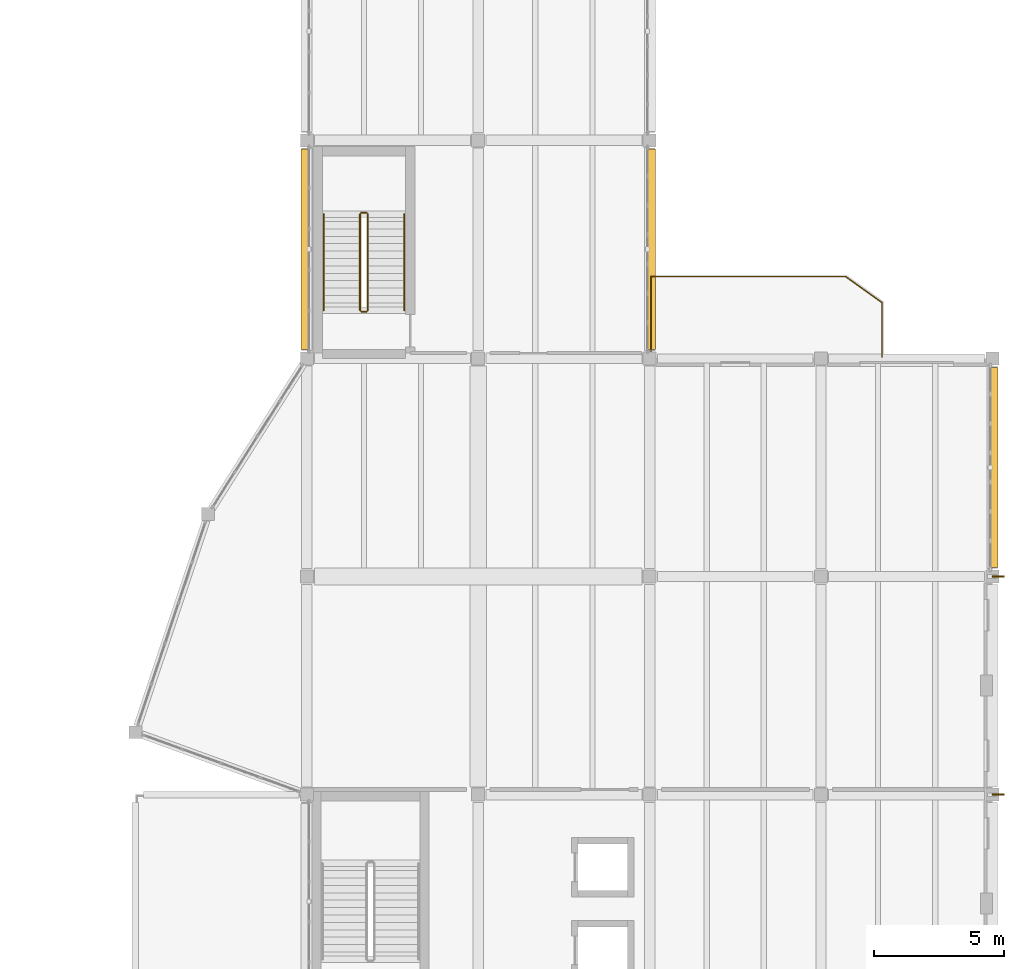
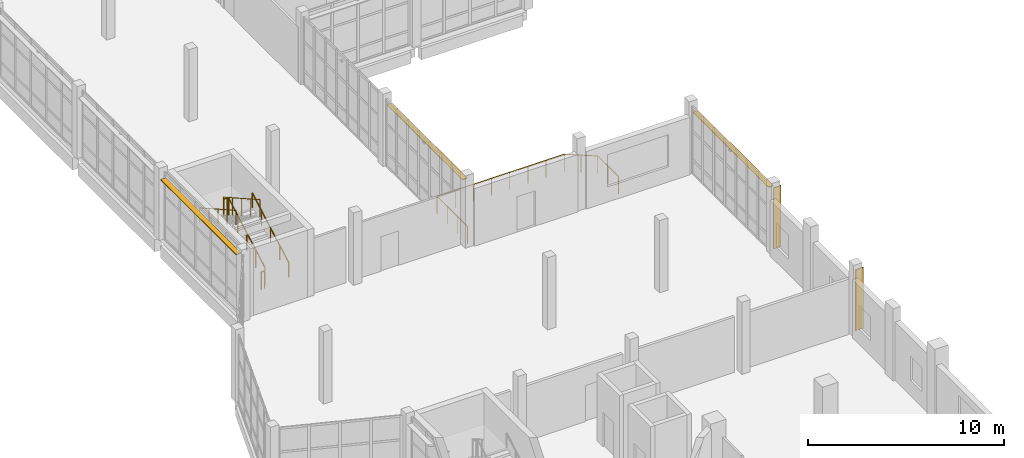
# One storey, part 81 of 83: 7 railings, 5 shading devices.
"""IFC4 building model written with IfcOpenShell, lengths in metres."""

import ifcopenshell
import ifcopenshell.guid

model = None  # the IFC model being written
_history = None  # IfcOwnerHistory: only IFC2X3 demands one
_inside = {}  # id of a spatial element -> (the spatial element, [elements in it])
_under = {}  # id of a project, library or spatial element -> (it, [spatial elements below it])
_declared = {}  # id of a project -> (the project, [libraries it declares])
_typed = {}  # id of a type object -> (the type object, [elements of that type])
_made_of = {}  # id of a material, layer set ... -> (it, [elements and type objects made of it])


def new_model(schema):
    """Start an empty IFC model of exactly this schema.

    Asked for "IFC4X3", IfcOpenShell would pick the latest addendum, in which some entities
    have other attributes; the version numbers below select the first issue.
    IFC2X3 requires an IfcOwnerHistory on every rooted entity: one is made here for all.
    """
    global model, _history
    if schema == "IFC4X3":
        model = ifcopenshell.file(schema_version=(4, 3, 0, 0))
    else:
        model = ifcopenshell.file(schema=schema)
    _inside.clear()
    _under.clear()
    _declared.clear()
    _typed.clear()
    _made_of.clear()
    _history = None
    if model.schema == "IFC2X3":
        org = make("IfcOrganization", Name="unknown")
        user = make(
            "IfcPersonAndOrganization",
            ThePerson=make("IfcPerson", FamilyName="unknown"),
            TheOrganization=org,
        )
        app = make(
            "IfcApplication",
            ApplicationDeveloper=org,
            Version="unknown",
            ApplicationFullName="unknown",
            ApplicationIdentifier="unknown",
        )
        _history = make(
            "IfcOwnerHistory",
            OwningUser=user,
            OwningApplication=app,
            ChangeAction="ADDED",
            CreationDate=0,
        )
    return model


def make(cls, **values):
    """One entity of the class cls with the attributes given. An attribute that is None is left unset."""
    return model.create_entity(
        cls, **{name: value for name, value in values.items() if value is not None}
    )


def rooted(cls, **values):
    """An entity with a GlobalId (a new one), such as an element, a storey or a relation."""
    return make(cls, GlobalId=ifcopenshell.guid.new(), OwnerHistory=_history, **values)


def si_unit(unit_type, name, prefix=None):
    """IfcSIUnit, for example si_unit("LENGTHUNIT", "METRE", prefix="MILLI")."""
    return make("IfcSIUnit", UnitType=unit_type, Prefix=prefix, Name=name)


def assignment(units):
    """IfcUnitAssignment: the units of a project."""
    return None if units is None else make("IfcUnitAssignment", Units=units)


def point(xyz):
    """IfcCartesianPoint."""
    return None if xyz is None else make("IfcCartesianPoint", Coordinates=xyz)


def direction(xyz):
    """IfcDirection."""
    return None if xyz is None else make("IfcDirection", DirectionRatios=xyz)


def frame(location, z_axis=None, x_axis=None):
    """IfcAxis2Placement3D, a coordinate frame: its origin and axes. An axis left out is left unset."""
    return make(
        "IfcAxis2Placement3D",
        Location=point(location),
        Axis=direction(z_axis),
        RefDirection=direction(x_axis),
    )


def frame_2d(location, x_axis=None):
    """IfcAxis2Placement2D, a coordinate frame in the plane: its origin and x axis."""
    return make(
        "IfcAxis2Placement2D", Location=point(location), RefDirection=direction(x_axis)
    )


def origin():
    """The frame at (0, 0, 0) with its axes left unset."""
    return frame((0.0, 0.0, 0.0))


def origin_2d():
    """The frame at (0, 0) in the plane with its x axis left unset."""
    return frame_2d((0.0, 0.0))


def place(relative_to, where):
    """IfcLocalPlacement: puts the frame where relative to a parent placement (None: the world)."""
    return make(
        "IfcLocalPlacement", PlacementRelTo=relative_to, RelativePlacement=where
    )


def context(
    kind, dimensions, precision=None, world=None, true_north=None, identifier=None
):
    """IfcGeometricRepresentationContext, for example the 3D "Model" context."""
    return make(
        "IfcGeometricRepresentationContext",
        ContextIdentifier=identifier,
        ContextType=kind,
        CoordinateSpaceDimension=dimensions,
        Precision=precision,
        WorldCoordinateSystem=world,
        TrueNorth=true_north,
    )


def subcontext(parent, identifier, kind, view, scale=None):
    """IfcGeometricRepresentationSubContext, for example "Body" below "Model"."""
    return make(
        "IfcGeometricRepresentationSubContext",
        ContextIdentifier=identifier,
        ContextType=kind,
        ParentContext=parent,
        TargetScale=scale,
        TargetView=view,
    )


def project(units=None, contexts=None):
    """IfcProject with its units and contexts."""
    return rooted(
        "IfcProject",
        Name="project",
        RepresentationContexts=contexts,
        UnitsInContext=assignment(units),
    )


def spatial(cls, under=None, at=None, **own):
    """A site, building, storey or space (cls), placed at a placement, below another one or the project."""
    s = rooted(cls, ObjectPlacement=at, **own)
    if under is not None:
        _under.setdefault(under.id(), (under, []))[1].append(s)
    return s


def profile(cls, at=None, kind="AREA", **sizes):
    """A parametric profile (cls). Its sizes go by their IFC names, for example OverallWidth=200.0."""
    return make(cls, ProfileType=kind, Position=at, **sizes)


def rectangle(**sizes):
    """IfcRectangleProfileDef."""
    return profile("IfcRectangleProfileDef", **sizes)


def circle(**sizes):
    """IfcCircleProfileDef."""
    return profile("IfcCircleProfileDef", **sizes)


def extrude(swept, where, along, depth):
    """IfcExtrudedAreaSolid: the profile swept, set in the frame where, extruded along a direction by depth."""
    return make(
        "IfcExtrudedAreaSolid",
        SweptArea=swept,
        Position=where,
        ExtrudedDirection=direction(along),
        Depth=depth,
    )


def shape(context_of_items, identifier, shape_type, items):
    """IfcShapeRepresentation: the items that make up one representation, for example the "Body"."""
    return make(
        "IfcShapeRepresentation",
        ContextOfItems=context_of_items,
        RepresentationIdentifier=identifier,
        RepresentationType=shape_type,
        Items=items,
    )


def material(Name=None, Category=None):
    """IfcMaterial."""
    return make("IfcMaterial", Name=Name, Category=Category)


def layer(
    of_material, thickness, ventilated=None, Name=None, Category=None, Priority=None
):
    """IfcMaterialLayer: one layer of a wall or slab, of a material (None: an air gap)."""
    return make(
        "IfcMaterialLayer",
        Material=of_material,
        LayerThickness=thickness,
        IsVentilated=ventilated,
        Name=Name,
        Category=Category,
        Priority=Priority,
    )


def layer_set(layers, Name=None):
    """IfcMaterialLayerSet."""
    return make("IfcMaterialLayerSet", MaterialLayers=layers, LayerSetName=Name)


def made_of(thing, what):
    """Note that an element or type object is made of a material, layer set ...; save() writes the relation."""
    if what is not None:
        _made_of.setdefault(what.id(), (what, []))[1].append(thing)
    return thing


def type_object(cls, material=None, **own):
    """A type object (cls), such as IfcWallType, which elements share."""
    return made_of(rooted(cls, **own), material)


def element(
    cls,
    number,
    at=None,
    inside=None,
    cuts=None,
    type_object=None,
    material=None,
    context=None,
    identifier="Body",
    shape_type=None,
    held_by="IfcProductDefinitionShape",
    body=None,
    shapes=None,
    **own,
):
    """One element of the class cls, such as IfcWall. Its Tag is "e" and its number.

    at: its placement. inside: the storey or other place that contains it. cuts: it is an
    opening in that element (IfcRelVoidsElement). A single representation is given by context,
    identifier, shape_type and body (its items); several are given by shapes. held_by: the class
    of the entity that holds the representations. save() writes the other relations.
    """
    e = rooted(cls, Tag="e%d" % number, ObjectPlacement=at, **own)
    if body is not None:
        shapes = [shape(context, identifier, shape_type, body)]
    if shapes is not None:
        e.Representation = make(held_by, Representations=shapes)
    if inside is not None:
        _inside.setdefault(inside.id(), (inside, []))[1].append(e)
    if cuts is not None:
        rooted(
            "IfcRelVoidsElement", RelatingBuildingElement=cuts, RelatedOpeningElement=e
        )
    if type_object is not None:
        _typed.setdefault(type_object.id(), (type_object, []))[1].append(e)
    return made_of(e, material)


def aggregate(whole, parts):
    """IfcRelAggregates: a whole, such as a stair, and the parts it consists of."""
    return rooted("IfcRelAggregates", RelatingObject=whole, RelatedObjects=parts)


def save(model, path):
    """Write the relations noted so far, then the file.

    IfcRelAggregates (storeys below a building ...), IfcRelContainedInSpatialStructure (elements
    in a storey), IfcRelDefinesByType, IfcRelAssociatesMaterial and IfcRelDeclares: one each for
    every whole, place, type object, material and project.
    """
    for whole, parts in _under.values():
        aggregate(whole, parts)
    for where, things in _inside.values():
        rooted(
            "IfcRelContainedInSpatialStructure",
            RelatedElements=things,
            RelatingStructure=where,
        )
    for kind, things in _typed.values():
        rooted("IfcRelDefinesByType", RelatedObjects=things, RelatingType=kind)
    for what, things in _made_of.values():
        rooted("IfcRelAssociatesMaterial", RelatedObjects=things, RelatingMaterial=what)
    for by, libraries in _declared.values():
        rooted("IfcRelDeclares", RelatingContext=by, RelatedDefinitions=libraries)
    model.write(path)


model = new_model("IFC4")

# Units and contexts
model_context = context("Model", 3, precision=1e-05, world=origin(), true_north=direction((0.0, 1.0)))
body_context = subcontext(model_context, "Body", "Model", "MODEL_VIEW")
ifc_project = project(units=[si_unit("LENGTHUNIT", "METRE"), si_unit("AREAUNIT", "SQUARE_METRE"), si_unit("VOLUMEUNIT", "CUBIC_METRE"), si_unit("PLANEANGLEUNIT", "RADIAN"), si_unit("MASSUNIT", "GRAM", prefix="KILO")], contexts=[model_context])

# Site, building, storey
site_placement = place(None, origin())
site = spatial("IfcSite", under=ifc_project, at=site_placement, CompositionType="ELEMENT")
building_placement = place(site_placement, origin())
building = spatial("IfcBuilding", under=site, at=building_placement, Name="Qaldarim Faculty of Natural and Applied Sciences", CompositionType="ELEMENT")
storey_placement = place(building_placement, frame((0.0, 0.0, 5.39990234375)))
storey = spatial("IfcBuildingStorey", under=building, at=storey_placement, Name="L01", CompositionType="ELEMENT", Elevation=5.39990234375)

# Railings
ifc_material_1 = material(Name="Architectural stainless steel 316", Category="steel")
railing_type_1 = type_object("IfcRailingType", Name="ExteriorGuardBalustrade-1100", PredefinedType="BALUSTRADE", material=ifc_material_1)
railing_1_placement = place(storey_placement, frame((165.050048828125, 84.050048828125, 0.0)))
element("IfcRailing", 1, at=railing_1_placement, inside=storey, type_object=railing_type_1, Name="Safety guard balustrade GRD-COURTBAL-L01", PredefinedType="BALUSTRADE", context=body_context, shape_type="SweptSolid", body=[
    extrude(circle(Radius=0.02392578125, at=origin_2d()), frame((0.0, 0.00390625, 1.076171875), z_axis=(0.0, 1.0, 0.0), x_axis=(-1.0, 0.0, 0.0)), (0.0, 0.0, 1.0), 3.091796875),
    extrude(circle(Radius=0.02392578125, at=origin_2d()), frame((0.00390625, 3.099853515625, 1.076171875), z_axis=(1.0, 0.0, 0.0), x_axis=(0.0, 1.0, 0.0)), (0.0, 0.0, 1.0), 7.491943359375),
    extrude(circle(Radius=0.02392578125, at=origin_2d()), frame((7.503173828125, 3.097412109375, 1.076171875), z_axis=(0.813714293681, -0.581265041318, 0.0), x_axis=(0.581265041318, 0.813714293681, 0.0)), (0.0, 0.0, 1.0), 1.71240234375),
    extrude(circle(Radius=0.02392578125, at=origin_2d()), frame((8.89990234375, 2.095947265625, 1.076171875), z_axis=(0.0, -1.0, 0.0), x_axis=(1.0, 0.0, 0.0)), (0.0, 0.0, 1.0), 2.091796875),
    extrude(circle(Radius=0.02099609375, at=origin_2d()), origin(), (0.0, 0.0, 1.0), 1.052001953125),
    extrude(circle(Radius=0.02099609375, at=origin_2d()), frame((0.0, 1.033203125, 0.0)), (0.0, 0.0, 1.0), 1.052001953125),
    extrude(circle(Radius=0.02099609375, at=origin_2d()), frame((0.0, 2.066650390625, 0.0)), (0.0, 0.0, 1.0), 1.052001953125),
    extrude(circle(Radius=0.02099609375, at=origin_2d()), frame((0.0, 3.099853515625, 0.0)), (0.0, 0.0, 1.0), 1.052001953125),
    extrude(circle(Radius=0.02099609375, at=origin_2d()), frame((1.071533203125, 3.099853515625, 0.0)), (0.0, 0.0, 1.0), 1.052001953125),
    extrude(circle(Radius=0.02099609375, at=origin_2d()), frame((2.142822265625, 3.099853515625, 0.0)), (0.0, 0.0, 1.0), 1.052001953125),
    extrude(circle(Radius=0.02099609375, at=origin_2d()), frame((3.21435546875, 3.099853515625, 0.0)), (0.0, 0.0, 1.0), 1.052001953125),
    extrude(circle(Radius=0.02099609375, at=origin_2d()), frame((4.28564453125, 3.099853515625, 0.0)), (0.0, 0.0, 1.0), 1.052001953125),
    extrude(circle(Radius=0.02099609375, at=origin_2d()), frame((5.357177734375, 3.099853515625, 0.0)), (0.0, 0.0, 1.0), 1.052001953125),
    extrude(circle(Radius=0.02099609375, at=origin_2d()), frame((6.428466796875, 3.099853515625, 0.0)), (0.0, 0.0, 1.0), 1.052001953125),
    extrude(circle(Radius=0.02099609375, at=origin_2d()), frame((7.5, 3.099853515625, 0.0)), (0.0, 0.0, 1.0), 1.052001953125),
    extrude(circle(Radius=0.02099609375, at=origin_2d()), frame((8.199951171875, 2.599853515625, 0.0)), (0.0, 0.0, 1.0), 1.052001953125),
    extrude(circle(Radius=0.02099609375, at=origin_2d()), frame((8.89990234375, 2.099853515625, 0.0)), (0.0, 0.0, 1.0), 1.052001953125),
    extrude(circle(Radius=0.02099609375, at=origin_2d()), frame((8.89990234375, 1.0498046875, 0.0)), (0.0, 0.0, 1.0), 1.052001953125),
    extrude(circle(Radius=0.02099609375, at=origin_2d()), frame((8.89990234375, 0.0, 0.0)), (0.0, 0.0, 1.0), 1.052001953125),
])
railing_type_2 = type_object("IfcRailingType", Name="GuardBalustrade-1100", PredefinedType="BALUSTRADE", material=ifc_material_1)
railing_2_placement = place(storey_placement, frame((154.14990234375, 85.85009765625, 0.16015625)))
element("IfcRailing", 2, at=railing_2_placement, inside=storey, type_object=railing_type_2, Name="ST-C2 L01 stair well guard 1", PredefinedType="BALUSTRADE", context=body_context, shape_type="SweptSolid", body=[
    extrude(circle(Radius=0.02392578125, at=origin_2d()), frame((0.0, 0.0, 1.076171875), z_axis=(0.0, 0.87098476549, 0.491310022576), x_axis=(-1.0, 0.0, 0.0)), (0.0, 0.0, 1.0), 4.253662109375),
    extrude(circle(Radius=0.02099609375, at=origin_2d()), origin(), (0.0, 0.0, 1.0), 1.052001953125),
    extrude(circle(Radius=0.02099609375, at=origin_2d()), frame((0.0, 0.92626953125, 0.5224609375)), (0.0, 0.0, 1.0), 1.052001953125),
    extrude(circle(Radius=0.02099609375, at=origin_2d()), frame((0.0, 1.8525390625, 1.044921875)), (0.0, 0.0, 1.0), 1.052001953125),
    extrude(circle(Radius=0.02099609375, at=origin_2d()), frame((0.0, 2.778564453125, 1.5673828125)), (0.0, 0.0, 1.0), 1.052001953125),
    extrude(circle(Radius=0.02099609375, at=origin_2d()), frame((0.0, 3.704833984375, 2.08984375)), (0.0, 0.0, 1.0), 1.052001953125),
])
railing_3_placement = place(storey_placement, frame((154.10009765625, 89.60498046875, 2.25)))
element("IfcRailing", 3, at=railing_3_placement, inside=storey, type_object=railing_type_2, Name="ST-C2 L01 stair well guard 2", PredefinedType="BALUSTRADE", context=body_context, shape_type="SweptSolid", body=[
    extrude(circle(Radius=0.02392578125, at=origin_2d()), frame((0.0, 0.0, 1.076171875), z_axis=(-1.0, 0.0, 0.0), x_axis=(0.0, -1.0, 0.0)), (0.0, 0.0, 1.0), 0.2001953125),
    extrude(circle(Radius=0.02099609375, at=origin_2d()), origin(), (0.0, 0.0, 1.0), 1.052001953125),
    extrude(circle(Radius=0.02099609375, at=origin_2d()), frame((-0.2001953125, 0.0, 0.0)), (0.0, 0.0, 1.0), 1.052001953125),
])
railing_4_placement = place(storey_placement, frame((153.85009765625, 89.554931640625, 2.41015625)))
element("IfcRailing", 4, at=railing_4_placement, inside=storey, type_object=railing_type_2, Name="ST-C2 L01 stair well guard 3", PredefinedType="BALUSTRADE", context=body_context, shape_type="SweptSolid", body=[
    extrude(circle(Radius=0.02392578125, at=origin_2d()), frame((0.0, 0.0, 1.076171875), z_axis=(0.0, -0.87098476549, 0.491310022576), x_axis=(1.0, 0.0, 0.0)), (0.0, 0.0, 1.0), 4.253662109375),
    extrude(circle(Radius=0.02099609375, at=origin_2d()), origin(), (0.0, 0.0, 1.0), 1.052001953125),
    extrude(circle(Radius=0.02099609375, at=origin_2d()), frame((0.0, -0.92626953125, 0.5224609375)), (0.0, 0.0, 1.0), 1.052001953125),
    extrude(circle(Radius=0.02099609375, at=origin_2d()), frame((0.0, -1.8525390625, 1.044921875)), (0.0, 0.0, 1.0), 1.052001953125),
    extrude(circle(Radius=0.02099609375, at=origin_2d()), frame((0.0, -2.778564453125, 1.5673828125)), (0.0, 0.0, 1.0), 1.052001953125),
    extrude(circle(Radius=0.02099609375, at=origin_2d()), frame((0.0, -3.704833984375, 2.08984375)), (0.0, 0.0, 1.0), 1.052001953125),
])
railing_5_placement = place(storey_placement, frame((154.10009765625, 85.800048828125, 0.0)))
element("IfcRailing", 5, at=railing_5_placement, inside=storey, type_object=railing_type_2, Name="ST-C2 L01 stair well guard 4", PredefinedType="BALUSTRADE", context=body_context, shape_type="SweptSolid", body=[
    extrude(circle(Radius=0.02392578125, at=origin_2d()), frame((0.0, 0.0, 1.076171875), z_axis=(-1.0, 0.0, 0.0), x_axis=(0.0, -1.0, 0.0)), (0.0, 0.0, 1.0), 0.2001953125),
    extrude(circle(Radius=0.02099609375, at=origin_2d()), origin(), (0.0, 0.0, 1.0), 1.052001953125),
    extrude(circle(Radius=0.02099609375, at=origin_2d()), frame((-0.2001953125, 0.0, 0.0)), (0.0, 0.0, 1.0), 1.052001953125),
])

# Shading devices
ifc_material_2 = material(Name="Champagne anodised aluminium AW-6063", Category="aluminium")
ifc_layer_1 = layer(ifc_material_2, 0.050048828125)
ifc_layer_set_1 = layer_set([ifc_layer_1], Name="Champagne anodised aluminium AW-6063")
shading_device_type_1 = type_object("IfcShadingDeviceType", Name="SolarLouvre-ALU300x50", PredefinedType="JALOUSIE", material=ifc_layer_set_1)
for number, where, z_axis, x_axis, name in (
    (6, (151.72998046875, 88.199951171875, 3.8251953125), (0.0, 0.0, 1.0), (0.0, 1.0, 0.0), "Horizontal solar louvre L01 W X24Y11"),
    (7, (165.070068359375, 88.199951171875, 3.8251953125), (0.0, 0.0, 1.0), (0.0, 1.0, 0.0), "Horizontal solar louvre L01 E X25Y11"),
    (8, (178.27001953125, 79.800048828125, 3.8251953125), (0.0, 0.0, 1.0), (0.0, 1.0, 0.0), "Horizontal solar louvre L01 E X27Y10"),
):
    element("IfcShadingDevice", number, at=place(storey_placement, frame(where, z_axis=z_axis, x_axis=x_axis)), inside=storey, type_object=shading_device_type_1, Name=name, PredefinedType="JALOUSIE", context=body_context, shape_type="SweptSolid", body=[
        extrude(rectangle(XDim=7.7099609375, YDim=0.300048828125, at=origin_2d()), origin(), (0.0, 0.0, 1.0), 0.050048828125),
    ])

# Railings
railing_type_3 = type_object("IfcRailingType", Name="StairHandrail-920", PredefinedType="HANDRAIL", material=ifc_material_1)
railing_6_placement = place(storey_placement, frame((155.550048828125, 85.85009765625, 0.16015625)))
element("IfcRailing", 9, at=railing_6_placement, inside=storey, type_object=railing_type_3, Name="ST-C2 L01 stair handrail 1", PredefinedType="HANDRAIL", context=body_context, shape_type="SweptSolid", body=[
    extrude(circle(Radius=0.02392578125, at=origin_2d()), frame((0.0, 0.0, 0.89599609375), z_axis=(0.0, 0.87098476549, 0.491310022576), x_axis=(-1.0, 0.0, 0.0)), (0.0, 0.0, 1.0), 4.253662109375),
    extrude(circle(Radius=0.02099609375, at=origin_2d()), origin(), (0.0, 0.0, 1.0), 0.871826171875),
    extrude(circle(Radius=0.02099609375, at=origin_2d()), frame((0.0, 0.92626953125, 0.5224609375)), (0.0, 0.0, 1.0), 0.871826171875),
    extrude(circle(Radius=0.02099609375, at=origin_2d()), frame((0.0, 1.8525390625, 1.044921875)), (0.0, 0.0, 1.0), 0.871826171875),
    extrude(circle(Radius=0.02099609375, at=origin_2d()), frame((0.0, 2.778564453125, 1.5673828125)), (0.0, 0.0, 1.0), 0.871826171875),
    extrude(circle(Radius=0.02099609375, at=origin_2d()), frame((0.0, 3.704833984375, 2.08984375)), (0.0, 0.0, 1.0), 0.871826171875),
])
railing_7_placement = place(storey_placement, frame((152.449951171875, 89.554931640625, 2.41015625)))
element("IfcRailing", 10, at=railing_7_placement, inside=storey, type_object=railing_type_3, Name="ST-C2 L01 stair handrail 2", PredefinedType="HANDRAIL", context=body_context, shape_type="SweptSolid", body=[
    extrude(circle(Radius=0.02392578125, at=origin_2d()), frame((0.0, 0.0, 0.89599609375), z_axis=(0.0, -0.87098476549, 0.491310022576), x_axis=(1.0, 0.0, 0.0)), (0.0, 0.0, 1.0), 4.253662109375),
    extrude(circle(Radius=0.02099609375, at=origin_2d()), origin(), (0.0, 0.0, 1.0), 0.871826171875),
    extrude(circle(Radius=0.02099609375, at=origin_2d()), frame((0.0, -0.92626953125, 0.5224609375)), (0.0, 0.0, 1.0), 0.871826171875),
    extrude(circle(Radius=0.02099609375, at=origin_2d()), frame((0.0, -1.8525390625, 1.044921875)), (0.0, 0.0, 1.0), 0.871826171875),
    extrude(circle(Radius=0.02099609375, at=origin_2d()), frame((0.0, -2.778564453125, 1.5673828125)), (0.0, 0.0, 1.0), 0.871826171875),
    extrude(circle(Radius=0.02099609375, at=origin_2d()), frame((0.0, -3.704833984375, 2.08984375)), (0.0, 0.0, 1.0), 0.871826171875),
])

# Shading devices
ifc_layer_2 = layer(ifc_material_2, 0.06005859375)
ifc_layer_set_2 = layer_set([ifc_layer_2], Name="Champagne anodised aluminium AW-6063")
shading_device_type_2 = type_object("IfcShadingDeviceType", Name="VerticalSunFin-ALU450x60", PredefinedType="SHUTTER", material=ifc_layer_set_2)
for number, where, z_axis, x_axis, name in (
    (11, (178.425048828125, 67.199951171875, 0.2001953125), (0.0, 0.0, 1.0), (1.0, 0.0, 0.0), "Vertical solar fin FIN-L01-X28Y09"),
    (12, (178.425048828125, 75.60009765625, 0.2001953125), (0.0, 0.0, 1.0), (1.0, 0.0, 0.0), "Vertical solar fin FIN-L01-X28Y10"),
):
    element("IfcShadingDevice", number, at=place(storey_placement, frame(where, z_axis=z_axis, x_axis=x_axis)), inside=storey, type_object=shading_device_type_2, Name=name, PredefinedType="SHUTTER", context=body_context, shape_type="SweptSolid", body=[
        extrude(rectangle(XDim=0.449951171875, YDim=0.06005859375, at=origin_2d()), origin(), (0.0, 0.0, 1.0), 3.800048828125),
    ])

save(model, "model.ifc")
